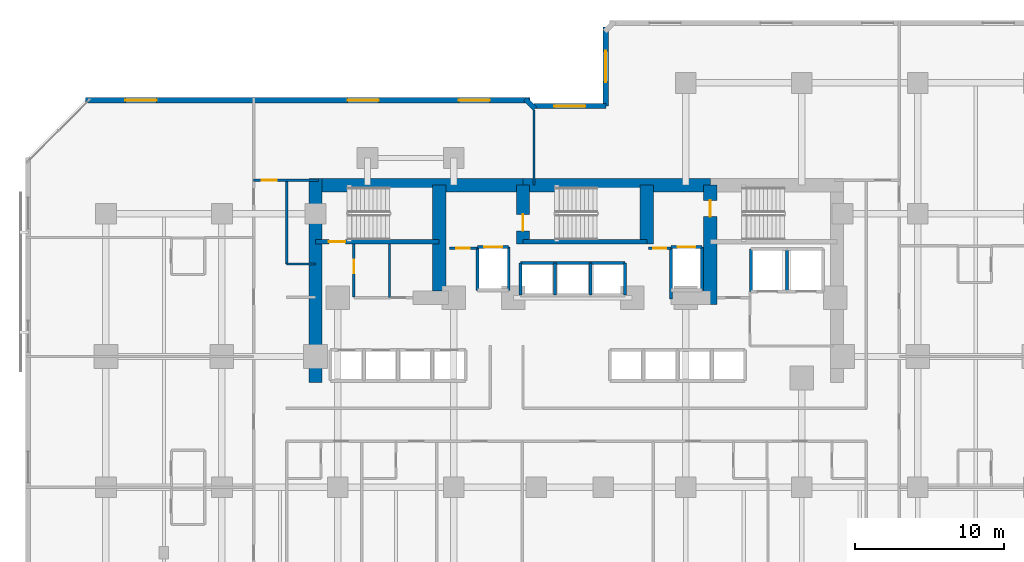
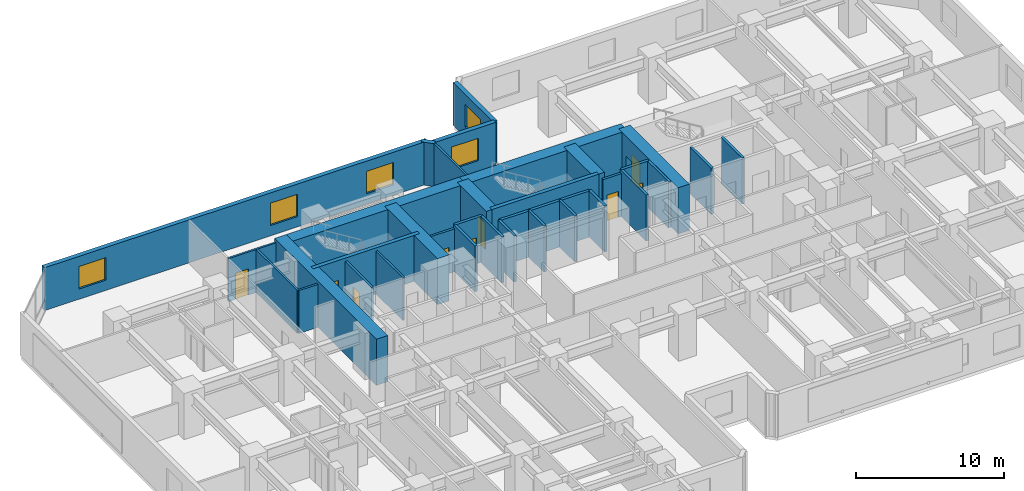
# One storey, part 8 of 12: 36 walls, 9 doors, 5 windows, 14 openings.
"""IFC4 building model written with IfcOpenShell, lengths in metres."""

from ifc_helpers import new_model, si_unit, direction, frame, frame_2d, origin, place, context, subcontext, project, spatial, rectangle, extrude, material, layer, layer_set, type_object, element, fill, save


model = new_model("IFC4")

# Units and contexts
model_context = context("Model", 3, precision=1e-05, world=origin(), true_north=direction((0.0, 1.0)))
body_context = subcontext(model_context, "Body", "Model", "MODEL_VIEW")
ifc_project = project(units=[si_unit("LENGTHUNIT", "METRE"), si_unit("AREAUNIT", "SQUARE_METRE"), si_unit("VOLUMEUNIT", "CUBIC_METRE"), si_unit("PLANEANGLEUNIT", "RADIAN"), si_unit("MASSUNIT", "GRAM", prefix="KILO")], contexts=[model_context])

# Site, building, storey
site_placement = place(None, origin())
site = spatial("IfcSite", under=ifc_project, at=site_placement, CompositionType="ELEMENT")
building_placement = place(site_placement, origin())
building = spatial("IfcBuilding", under=site, at=building_placement, Name="Kestravale Grand Hotel", CompositionType="ELEMENT")
storey_placement = place(building_placement, frame((0.0, 0.0, 48.800048828125)))
storey = spatial("IfcBuildingStorey", under=building, at=storey_placement, Name="L11", CompositionType="ELEMENT", Elevation=48.800048828125)

# Walls
ifc_material_1 = material(Name="Concrete f'c 70 MPa", Category="concrete")
ifc_layer_1 = layer(ifc_material_1, 0.89990234375)
ifc_layer_set_1 = layer_set([ifc_layer_1], Name="EW-CORE-900")
wall_type_1 = type_object("IfcWallType", Name="EW-CORE-900", PredefinedType="SHEAR", material=ifc_layer_set_1)
wall_1_placement = place(storey_placement, frame((21.449951171875, 40.320068359375, 0.0), z_axis=(0.0, 0.0, 1.0), x_axis=(1.0, 0.0, 0.0)))
element("IfcWall", 1, at=wall_1_placement, inside=storey, type_object=wall_type_1, Name="L11 core shear wall N1", PredefinedType="SHEAR", context=body_context, shape_type="SweptSolid", body=[
    extrude(rectangle(XDim=14.400146484375, YDim=0.89990234375, at=frame_2d((7.2001953125, 0.0))), origin(), (0.0, 0.0, 1.0), 3.800048828125),
])
wall_2_placement = place(storey_placement, frame((35.85009765625, 40.320068359375, 0.0), z_axis=(0.0, 0.0, 1.0), x_axis=(1.0, 0.0, 0.0)))
element("IfcWall", 2, at=wall_2_placement, inside=storey, type_object=wall_type_1, Name="L11 core shear wall N2", PredefinedType="SHEAR", context=body_context, shape_type="SweptSolid", body=[
    extrude(rectangle(XDim=12.599853515625, YDim=0.89990234375, at=frame_2d((6.2998046875, 0.0))), origin(), (0.0, 0.0, 1.0), 3.800048828125),
])
wall_3_placement = place(storey_placement, frame((21.89990234375, 27.050048828125, 0.0), z_axis=(0.0, 0.0, 1.0), x_axis=(0.0, 1.0, 0.0)))
element("IfcWall", 3, at=wall_3_placement, inside=storey, type_object=wall_type_1, Name="L11 core shear wall W1", PredefinedType="SHEAR", context=body_context, shape_type="SweptSolid", body=[
    extrude(rectangle(XDim=13.719970703125, YDim=0.89990234375, at=frame_2d((6.85986328125, 0.0))), origin(), (0.0, 0.0, 1.0), 3.800048828125),
])
wall_4_placement = place(storey_placement, frame((30.219970703125, 33.199951171875, 0.0), z_axis=(0.0, 0.0, 1.0), x_axis=(0.0, 1.0, 0.0)))
element("IfcWall", 4, at=wall_4_placement, inside=storey, type_object=wall_type_1, Name="L11 core shear wall X1", PredefinedType="SHEAR", context=body_context, shape_type="SweptSolid", body=[
    extrude(rectangle(XDim=7.1201171875, YDim=0.89990234375, at=frame_2d((3.56005859375, 0.0))), origin(), (0.0, 0.0, 1.0), 3.800048828125),
])

# Wall, opening, door
wall_5_placement = place(storey_placement, frame((35.85009765625, 36.3701171875, 0.0), z_axis=(0.0, 0.0, 1.0), x_axis=(0.0, 1.0, 0.0)))
wall_5 = element("IfcWall", 5, at=wall_5_placement, inside=storey, type_object=wall_type_1, Name="L11 core shear wall X2", PredefinedType="SHEAR", context=body_context, shape_type="SweptSolid", body=[
    extrude(rectangle(XDim=3.949951171875, YDim=0.89990234375, at=frame_2d((1.97509765625, 0.0))), origin(), (0.0, 0.0, 1.0), 3.800048828125),
])
opening_1_placement = place(wall_5_placement, frame((0.8798828125, 0.0, 0.0)))
opening_1 = element("IfcOpeningElement", 6, at=opening_1_placement, cuts=wall_5, Name="Opening D-ST-1100", PredefinedType="OPENING", context=body_context, shape_type="SweptSolid", body=[
    extrude(rectangle(XDim=1.10009765625, YDim=2.14990234375, at=frame_2d((0.550048828125, 1.074951171875))), frame((0.0, 0.4599609375, 0.0), z_axis=(0.0, -1.0, 0.0), x_axis=(1.0, 0.0, 0.0)), (0.0, 0.0, 1.0), 0.919921875),
])
ifc_material_2 = material(Name="Galvanised 90-minute fire-rated steel stair door", Category="steel")
door_type_1 = type_object("IfcDoorType", Name="D-ST-1100", OperationType="NOTDEFINED", PredefinedType="DOOR", material=ifc_material_2)
door_1_placement = place(opening_1_placement, origin())
door_1 = element("IfcDoor", 7, at=door_1_placement, inside=storey, type_object=door_type_1, Name="L11 Stair ST-2 FSAE fire door", OperationType="SINGLE_SWING_RIGHT", OverallHeight=2.14990234375, OverallWidth=1.10009765625, PredefinedType="DOOR", context=body_context, shape_type="SweptSolid", body=[
    extrude(rectangle(XDim=1.10009765625, YDim=2.14990234375, at=frame_2d((0.550048828125, 1.074951171875))), frame((0.0, 0.02490234375, 0.0), z_axis=(0.0, -1.0, 0.0), x_axis=(1.0, 0.0, 0.0)), (0.0, 0.0, 1.0), 0.050048828125),
])
fill(opening_1, door_1)

# Wall
wall_6_placement = place(storey_placement, frame((44.179931640625, 36.3701171875, 0.0), z_axis=(0.0, 0.0, 1.0), x_axis=(0.0, 1.0, 0.0)))
element("IfcWall", 8, at=wall_6_placement, inside=storey, type_object=wall_type_1, Name="L11 core shear wall X3", PredefinedType="SHEAR", context=body_context, shape_type="SweptSolid", body=[
    extrude(rectangle(XDim=3.949951171875, YDim=0.89990234375, at=frame_2d((1.97509765625, 0.0))), origin(), (0.0, 0.0, 1.0), 3.800048828125),
])

# Wall, opening, door
wall_7_placement = place(storey_placement, frame((48.449951171875, 32.300048828125, 0.0), z_axis=(0.0, 0.0, 1.0), x_axis=(0.0, 1.0, 0.0)))
wall_7 = element("IfcWall", 9, at=wall_7_placement, inside=storey, type_object=wall_type_1, Name="L11 core shear wall X4", PredefinedType="SHEAR", context=body_context, shape_type="SweptSolid", body=[
    extrude(rectangle(XDim=8.02001953125, YDim=0.89990234375, at=frame_2d((4.010009765625, 0.0))), origin(), (0.0, 0.0, 1.0), 3.800048828125),
])
opening_2_placement = place(wall_7_placement, frame((5.89990234375, 0.0, 0.0)))
opening_2 = element("IfcOpeningElement", 10, at=opening_2_placement, cuts=wall_7, Name="Opening D-ST-1100", PredefinedType="OPENING", context=body_context, shape_type="SweptSolid", body=[
    extrude(rectangle(XDim=1.10009765625, YDim=2.14990234375, at=frame_2d((0.550048828125, 1.074951171875))), frame((0.0, 0.4599609375, 0.0), z_axis=(0.0, -1.0, 0.0), x_axis=(1.0, 0.0, 0.0)), (0.0, 0.0, 1.0), 0.919921875),
])
door_2_placement = place(opening_2_placement, origin())
door_2 = element("IfcDoor", 11, at=door_2_placement, inside=storey, type_object=door_type_1, Name="L11 Stair ST-3 FSAE fire door", OperationType="SINGLE_SWING_RIGHT", OverallHeight=2.14990234375, OverallWidth=1.10009765625, PredefinedType="DOOR", context=body_context, shape_type="SweptSolid", body=[
    extrude(rectangle(XDim=1.10009765625, YDim=2.14990234375, at=frame_2d((0.550048828125, 1.074951171875))), frame((0.0, 0.02490234375, 0.0), z_axis=(0.0, -1.0, 0.0), x_axis=(1.0, 0.0, 0.0)), (0.0, 0.0, 1.0), 0.050048828125),
])
fill(opening_2, door_2)

# Wall, opening, window
ifc_material_3 = material(Name="Precast concrete f'c 45 MPa", Category="concrete")
ifc_layer_2 = layer(ifc_material_3, 0.340087890625)
ifc_layer_set_2 = layer_set([ifc_layer_2], Name="EW-PREC-340")
wall_type_2 = type_object("IfcWallType", Name="EW-PREC-340", PredefinedType="SOLIDWALL", material=ifc_layer_set_2)
wall_8_placement = place(storey_placement, frame((41.419921875, 50.969970703125, 0.0), z_axis=(0.0, 0.0, 1.0), x_axis=(0.0, -1.0, 0.0)))
wall_8 = element("IfcWall", 12, at=wall_8_placement, inside=storey, type_object=wall_type_2, Name="L11 fluted precast facade wall 13", PredefinedType="SOLIDWALL", context=body_context, shape_type="SweptSolid", body=[
    extrude(rectangle(XDim=5.340087890625, YDim=0.340087890625, at=frame_2d((2.669921875, 0.0))), origin(), (0.0, 0.0, 1.0), 3.5400390625),
])
opening_3_placement = place(wall_8_placement, frame((1.6201171875, 0.0, 0.85009765625)))
opening_3 = element("IfcOpeningElement", 13, at=opening_3_placement, cuts=wall_8, Name="Opening W-GUEST-2100", PredefinedType="OPENING", context=body_context, shape_type="SweptSolid", body=[
    extrude(rectangle(XDim=2.10009765625, YDim=1.85009765625, at=frame_2d((1.050048828125, 0.925048828125))), frame((0.0, 0.179931640625, 0.0), z_axis=(0.0, -1.0, 0.0), x_axis=(1.0, 0.0, 0.0)), (0.0, 0.0, 1.0), 0.360107421875),
])
ifc_material_4 = material(Name="Insulated low-E double glazing in aluminium frame", Category="aluminium")
window_type = type_object("IfcWindowType", Name="W-GUEST-2100", PartitioningType="DOUBLE_PANEL_VERTICAL", PredefinedType="WINDOW", material=ifc_material_4)
window_1_placement = place(opening_3_placement, origin())
window_1 = element("IfcWindow", 14, at=window_1_placement, inside=storey, type_object=window_type, Name="L11 exterior window 13.1", OverallHeight=1.85009765625, OverallWidth=2.10009765625, PartitioningType="SINGLE_PANEL", PredefinedType="WINDOW", context=body_context, shape_type="SweptSolid", body=[
    extrude(rectangle(XDim=2.10009765625, YDim=1.85009765625, at=frame_2d((1.050048828125, 0.925048828125))), frame((0.0, 0.030029296875, 0.0), z_axis=(0.0, -1.0, 0.0), x_axis=(1.0, 0.0, 0.0)), (0.0, 0.0, 1.0), 0.06005859375),
])
fill(opening_3, window_1)

wall_9_placement = place(storey_placement, frame((41.419921875, 45.6298828125, 0.0), z_axis=(0.0, 0.0, 1.0), x_axis=(-1.0, 0.0, 0.0)))
wall_9 = element("IfcWall", 15, at=wall_9_placement, inside=storey, type_object=wall_type_2, Name="L11 fluted precast facade wall 14", PredefinedType="SOLIDWALL", context=body_context, shape_type="SweptSolid", body=[
    extrude(rectangle(XDim=4.83984375, YDim=0.340087890625, at=frame_2d((2.419921875, 0.0))), origin(), (0.0, 0.0, 1.0), 3.5400390625),
])
opening_4_placement = place(wall_9_placement, frame((1.3701171875, 0.0, 0.85009765625)))
opening_4 = element("IfcOpeningElement", 16, at=opening_4_placement, cuts=wall_9, Name="Opening W-GUEST-2100", PredefinedType="OPENING", context=body_context, shape_type="SweptSolid", body=[
    extrude(rectangle(XDim=2.10009765625, YDim=1.85009765625, at=frame_2d((1.050048828125, 0.925048828125))), frame((0.0, 0.179931640625, 0.0), z_axis=(0.0, -1.0, 0.0), x_axis=(1.0, 0.0, 0.0)), (0.0, 0.0, 1.0), 0.360107421875),
])
window_2_placement = place(opening_4_placement, origin())
window_2 = element("IfcWindow", 17, at=window_2_placement, inside=storey, type_object=window_type, Name="L11 exterior window 14.1", OverallHeight=1.85009765625, OverallWidth=2.10009765625, PartitioningType="SINGLE_PANEL", PredefinedType="WINDOW", context=body_context, shape_type="SweptSolid", body=[
    extrude(rectangle(XDim=2.10009765625, YDim=1.85009765625, at=frame_2d((1.050048828125, 0.925048828125))), frame((0.0, 0.030029296875, 0.0), z_axis=(0.0, -1.0, 0.0), x_axis=(1.0, 0.0, 0.0)), (0.0, 0.0, 1.0), 0.06005859375),
])
fill(opening_4, window_2)

# Wall
wall_10_placement = place(storey_placement, frame((36.658203125, 45.451416015625, 0.0), z_axis=(0.0, 0.0, 1.0), x_axis=(-0.707106781187, 0.707106781187, 0.0)))
element("IfcWall", 18, at=wall_10_placement, inside=storey, type_object=wall_type_2, Name="L11 fluted precast facade wall 16", PredefinedType="SOLIDWALL", context=body_context, shape_type="SweptSolid", body=[
    extrude(rectangle(XDim=0.9287109375, YDim=0.340087890625, at=frame_2d((0.46435546875, 0.0))), origin(), (0.0, 0.0, 1.0), 3.5400390625),
])

# Wall, openings, windows
wall_11_placement = place(storey_placement, frame((36.320068359375, 46.030029296875, 0.0), z_axis=(0.0, 0.0, 1.0), x_axis=(-1.0, 0.0, 0.0)))
wall_11 = element("IfcWall", 19, at=wall_11_placement, inside=storey, type_object=wall_type_2, Name="L11 fluted precast facade wall 17", PredefinedType="SOLIDWALL", context=body_context, shape_type="SweptSolid", body=[
    extrude(rectangle(XDim=29.89013671875, YDim=0.340087890625, at=frame_2d((14.945068359375, 0.0))), origin(), (0.0, 0.0, 1.0), 3.5400390625),
])
opening_5_placement = place(wall_11_placement, frame((2.686279296875, 0.0, 0.85009765625)))
opening_5 = element("IfcOpeningElement", 20, at=opening_5_placement, cuts=wall_11, Name="Opening W-GUEST-2100", PredefinedType="OPENING", context=body_context, shape_type="SweptSolid", body=[
    extrude(rectangle(XDim=2.10009765625, YDim=1.85009765625, at=frame_2d((1.050048828125, 0.925048828125))), frame((0.0, 0.179931640625, 0.0), z_axis=(0.0, -1.0, 0.0), x_axis=(1.0, 0.0, 0.0)), (0.0, 0.0, 1.0), 0.360107421875),
])
opening_6_placement = place(wall_11_placement, frame((10.15869140625, 0.0, 0.85009765625)))
opening_6 = element("IfcOpeningElement", 21, at=opening_6_placement, cuts=wall_11, Name="Opening W-GUEST-2100", PredefinedType="OPENING", context=body_context, shape_type="SweptSolid", body=[
    extrude(rectangle(XDim=2.10009765625, YDim=1.85009765625, at=frame_2d((1.050048828125, 0.925048828125))), frame((0.0, 0.179931640625, 0.0), z_axis=(0.0, -1.0, 0.0), x_axis=(1.0, 0.0, 0.0)), (0.0, 0.0, 1.0), 0.360107421875),
])
opening_7_placement = place(wall_11_placement, frame((25.103759765625, 0.0, 0.85009765625)))
opening_7 = element("IfcOpeningElement", 22, at=opening_7_placement, cuts=wall_11, Name="Opening W-GUEST-2100", PredefinedType="OPENING", context=body_context, shape_type="SweptSolid", body=[
    extrude(rectangle(XDim=2.10009765625, YDim=1.85009765625, at=frame_2d((1.050048828125, 0.925048828125))), frame((0.0, 0.179931640625, 0.0), z_axis=(0.0, -1.0, 0.0), x_axis=(1.0, 0.0, 0.0)), (0.0, 0.0, 1.0), 0.360107421875),
])
window_3_placement = place(opening_5_placement, origin())
window_3 = element("IfcWindow", 23, at=window_3_placement, inside=storey, type_object=window_type, Name="L11 exterior window 17.1", OverallHeight=1.85009765625, OverallWidth=2.10009765625, PartitioningType="SINGLE_PANEL", PredefinedType="WINDOW", context=body_context, shape_type="SweptSolid", body=[
    extrude(rectangle(XDim=2.10009765625, YDim=1.85009765625, at=frame_2d((1.050048828125, 0.925048828125))), frame((0.0, 0.030029296875, 0.0), z_axis=(0.0, -1.0, 0.0), x_axis=(1.0, 0.0, 0.0)), (0.0, 0.0, 1.0), 0.06005859375),
])
fill(opening_5, window_3)
window_4_placement = place(opening_6_placement, origin())
window_4 = element("IfcWindow", 24, at=window_4_placement, inside=storey, type_object=window_type, Name="L11 exterior window 17.2", OverallHeight=1.85009765625, OverallWidth=2.10009765625, PartitioningType="SINGLE_PANEL", PredefinedType="WINDOW", context=body_context, shape_type="SweptSolid", body=[
    extrude(rectangle(XDim=2.10009765625, YDim=1.85009765625, at=frame_2d((1.050048828125, 0.925048828125))), frame((0.0, 0.030029296875, 0.0), z_axis=(0.0, -1.0, 0.0), x_axis=(1.0, 0.0, 0.0)), (0.0, 0.0, 1.0), 0.06005859375),
])
fill(opening_6, window_4)
window_5_placement = place(opening_7_placement, origin())
window_5 = element("IfcWindow", 25, at=window_5_placement, inside=storey, type_object=window_type, Name="L11 exterior window 17.3", OverallHeight=1.85009765625, OverallWidth=2.10009765625, PartitioningType="SINGLE_PANEL", PredefinedType="WINDOW", context=body_context, shape_type="SweptSolid", body=[
    extrude(rectangle(XDim=2.10009765625, YDim=1.85009765625, at=frame_2d((1.050048828125, 0.925048828125))), frame((0.0, 0.030029296875, 0.0), z_axis=(0.0, -1.0, 0.0), x_axis=(1.0, 0.0, 0.0)), (0.0, 0.0, 1.0), 0.06005859375),
])
fill(opening_7, window_5)

# Wall, opening, door
ifc_material_5 = material(Name="Concrete f'c 45 MPa", Category="concrete")
ifc_layer_3 = layer(ifc_material_5, 0.300048828125)
ifc_layer_set_3 = layer_set([ifc_layer_3], Name="EW-STAIR-300")
wall_type_3 = type_object("IfcWallType", Name="EW-STAIR-300", PredefinedType="SHEAR", material=ifc_layer_set_3)
wall_12_placement = place(storey_placement, frame((21.89990234375, 36.52001953125, 0.0), z_axis=(0.0, 0.0, 1.0), x_axis=(1.0, 0.0, 0.0)))
wall_12 = element("IfcWall", 26, at=wall_12_placement, inside=storey, type_object=wall_type_3, Name="L11 stair enclosure shear wall SST1", PredefinedType="SHEAR", context=body_context, shape_type="SweptSolid", body=[
    extrude(rectangle(XDim=8.320068359375, YDim=0.300048828125, at=frame_2d((4.16015625, 0.0))), origin(), (0.0, 0.0, 1.0), 3.800048828125),
])
opening_8_placement = place(wall_12_placement, frame((0.89990234375, 0.0, 0.0)))
opening_8 = element("IfcOpeningElement", 27, at=opening_8_placement, cuts=wall_12, Name="Opening D-ST-1100", PredefinedType="OPENING", context=body_context, shape_type="SweptSolid", body=[
    extrude(rectangle(XDim=1.10009765625, YDim=2.14990234375, at=frame_2d((0.550048828125, 1.074951171875))), frame((0.0, 0.159912109375, 0.0), z_axis=(0.0, -1.0, 0.0), x_axis=(1.0, 0.0, 0.0)), (0.0, 0.0, 1.0), 0.320068359375),
])
door_3_placement = place(opening_8_placement, origin())
door_3 = element("IfcDoor", 28, at=door_3_placement, inside=storey, type_object=door_type_1, Name="L11 Stair ST-1 fire door", OperationType="SINGLE_SWING_RIGHT", OverallHeight=2.14990234375, OverallWidth=1.10009765625, PredefinedType="DOOR", context=body_context, shape_type="SweptSolid", body=[
    extrude(rectangle(XDim=1.10009765625, YDim=2.14990234375, at=frame_2d((0.550048828125, 1.074951171875))), frame((0.0, 0.02490234375, 0.0), z_axis=(0.0, -1.0, 0.0), x_axis=(1.0, 0.0, 0.0)), (0.0, 0.0, 1.0), 0.050048828125),
])
fill(opening_8, door_3)

# Wall
wall_13_placement = place(storey_placement, frame((35.85009765625, 36.52001953125, 0.0), z_axis=(0.0, 0.0, 1.0), x_axis=(1.0, 0.0, 0.0)))
element("IfcWall", 29, at=wall_13_placement, inside=storey, type_object=wall_type_3, Name="L11 stair enclosure shear wall SST2", PredefinedType="SHEAR", context=body_context, shape_type="SweptSolid", body=[
    extrude(rectangle(XDim=8.329833984375, YDim=0.300048828125, at=frame_2d((4.1650390625, 0.0))), origin(), (0.0, 0.0, 1.0), 3.800048828125),
])

# Wall, opening, door
ifc_material_6 = material(Name="Acoustic fire-rated gypsum board partition", Category="other")
ifc_layer_4 = layer(ifc_material_6, 0.159912109375)
ifc_layer_set_4 = layer_set([ifc_layer_4], Name="IW-CORR-160")
wall_type_4 = type_object("IfcWallType", Name="IW-CORR-160", PredefinedType="PARTITIONING", material=ifc_layer_set_4)
wall_14_placement = place(storey_placement, frame((24.47998046875, 32.800048828125, 0.0), z_axis=(0.0, 0.0, 1.0), x_axis=(0.0, 1.0, 0.0)))
wall_14 = element("IfcWall", 30, at=wall_14_placement, inside=storey, type_object=wall_type_4, Name="L11 west core vestibule wall", PredefinedType="PARTITIONING", context=body_context, shape_type="SweptSolid", body=[
    extrude(rectangle(XDim=3.570068359375, YDim=0.159912109375, at=frame_2d((1.78515625, 0.0))), origin(), (0.0, 0.0, 1.0), 3.5400390625),
])
opening_9_placement = place(wall_14_placement, frame((1.603515625, 0.0, 0.0)))
opening_9 = element("IfcOpeningElement", 31, at=opening_9_placement, cuts=wall_14, Name="Opening D-SH-900", PredefinedType="OPENING", context=body_context, shape_type="SweptSolid", body=[
    extrude(rectangle(XDim=0.89990234375, YDim=2.10009765625, at=frame_2d((0.449951171875, 1.050048828125))), frame((0.0, 0.08984375, 0.0), z_axis=(0.0, -1.0, 0.0), x_axis=(1.0, 0.0, 0.0)), (0.0, 0.0, 1.0), 0.179931640625),
])
ifc_material_7 = material(Name="Galvanised 90-minute shaft and service fire door", Category="steel")
door_type_2 = type_object("IfcDoorType", Name="D-SH-900", OperationType="NOTDEFINED", PredefinedType="DOOR", material=ifc_material_7)
door_4_placement = place(opening_9_placement, origin())
door_4 = element("IfcDoor", 32, at=door_4_placement, inside=storey, type_object=door_type_2, Name="D-L11-HK", OperationType="SINGLE_SWING_RIGHT", OverallHeight=2.10009765625, OverallWidth=0.89990234375, PredefinedType="DOOR", context=body_context, shape_type="SweptSolid", body=[
    extrude(rectangle(XDim=0.89990234375, YDim=2.10009765625, at=frame_2d((0.449951171875, 1.050048828125))), frame((0.0, 0.02490234375, 0.0), z_axis=(0.0, -1.0, 0.0), x_axis=(1.0, 0.0, 0.0)), (0.0, 0.0, 1.0), 0.050048828125),
])
fill(opening_9, door_4)

# Walls
wall_15_placement = place(storey_placement, frame((19.9599609375, 35.02001953125, 0.0), z_axis=(0.0, 0.0, 1.0), x_axis=(0.0, 1.0, 0.0)))
element("IfcWall", 33, at=wall_15_placement, inside=storey, type_object=wall_type_4, Name="W-L11-SW-EN", PredefinedType="PARTITIONING", context=body_context, shape_type="SweptSolid", body=[
    extrude(rectangle(XDim=5.6298828125, YDim=0.159912109375, at=frame_2d((2.81494140625, 0.0))), origin(), (0.0, 0.0, 1.0), 3.5400390625),
])
wall_16_placement = place(storey_placement, frame((19.9599609375, 35.02001953125, 0.0), z_axis=(0.0, 0.0, 1.0), x_axis=(1.0, 0.0, 0.0)))
element("IfcWall", 34, at=wall_16_placement, inside=storey, type_object=wall_type_4, Name="W-L11-SW-CN", PredefinedType="PARTITIONING", context=body_context, shape_type="SweptSolid", body=[
    extrude(rectangle(XDim=1.93994140625, YDim=0.159912109375, at=frame_2d((0.969970703125, 0.0))), origin(), (0.0, 0.0, 1.0), 3.5400390625),
])

# Wall, opening, door
ifc_material_8 = material(Name="Fire-rated gypsum board on steel studs with mineral wool", Category="steel")
ifc_layer_5 = layer(ifc_material_8, 0.179931640625)
ifc_layer_set_5 = layer_set([ifc_layer_5], Name="IW-FSAE-180")
wall_type_5 = type_object("IfcWallType", Name="IW-FSAE-180", PredefinedType="PARTITIONING", material=ifc_layer_set_5)
wall_17_placement = place(storey_placement, frame((30.89990234375, 36.080078125, 0.0), z_axis=(0.0, 0.0, 1.0), x_axis=(1.0, 0.0, 0.0)))
wall_17 = element("IfcWall", 35, at=wall_17_placement, inside=storey, type_object=wall_type_5, Name="L11 FSAE Lobby 1 smoke barrier", PredefinedType="PARTITIONING", context=body_context, shape_type="SweptSolid", body=[
    extrude(rectangle(XDim=1.85009765625, YDim=0.179931640625, at=frame_2d((0.925048828125, 0.0))), origin(), (0.0, 0.0, 1.0), 3.5400390625),
])
opening_10_placement = place(wall_17_placement, frame((0.47998046875, 0.0, 0.0)))
opening_10 = element("IfcOpeningElement", 36, at=opening_10_placement, cuts=wall_17, Name="Opening D-FSAE-1000", PredefinedType="OPENING", context=body_context, shape_type="SweptSolid", body=[
    extrude(rectangle(XDim=0.89990234375, YDim=2.14990234375, at=frame_2d((0.449951171875, 1.074951171875))), frame((0.0, 0.099853515625, 0.0), z_axis=(0.0, -1.0, 0.0), x_axis=(1.0, 0.0, 0.0)), (0.0, 0.0, 1.0), 0.199951171875),
])
ifc_material_9 = material(Name="Smoke-gasketed FSAE lobby fire door", Category="steel")
door_type_3 = type_object("IfcDoorType", Name="D-FSAE-1000", OperationType="NOTDEFINED", PredefinedType="DOOR", material=ifc_material_9)
door_5_placement = place(opening_10_placement, origin())
door_5 = element("IfcDoor", 37, at=door_5_placement, inside=storey, type_object=door_type_3, Name="L11 FSAE Lobby 1 fire door", OperationType="SINGLE_SWING_RIGHT", OverallHeight=2.14990234375, OverallWidth=0.89990234375, PredefinedType="DOOR", context=body_context, shape_type="SweptSolid", body=[
    extrude(rectangle(XDim=0.89990234375, YDim=2.14990234375, at=frame_2d((0.449951171875, 1.074951171875))), frame((0.0, 0.02490234375, 0.0), z_axis=(0.0, -1.0, 0.0), x_axis=(1.0, 0.0, 0.0)), (0.0, 0.0, 1.0), 0.050048828125),
])
fill(opening_10, door_5)

wall_18_placement = place(storey_placement, frame((44.300048828125, 36.080078125, 0.0), z_axis=(0.0, 0.0, 1.0), x_axis=(1.0, 0.0, 0.0)))
wall_18 = element("IfcWall", 38, at=wall_18_placement, inside=storey, type_object=wall_type_5, Name="L11 FSAE Lobby 2 smoke barrier", PredefinedType="PARTITIONING", context=body_context, shape_type="SweptSolid", body=[
    extrude(rectangle(XDim=1.5, YDim=0.179931640625, at=frame_2d((0.75, 0.0))), origin(), (0.0, 0.0, 1.0), 3.5400390625),
])
opening_11_placement = place(wall_18_placement, frame((0.300048828125, 0.0, 0.0)))
opening_11 = element("IfcOpeningElement", 39, at=opening_11_placement, cuts=wall_18, Name="Opening D-FSAE-1000", PredefinedType="OPENING", context=body_context, shape_type="SweptSolid", body=[
    extrude(rectangle(XDim=0.89990234375, YDim=2.14990234375, at=frame_2d((0.449951171875, 1.074951171875))), frame((0.0, 0.099853515625, 0.0), z_axis=(0.0, -1.0, 0.0), x_axis=(1.0, 0.0, 0.0)), (0.0, 0.0, 1.0), 0.199951171875),
])
door_6_placement = place(opening_11_placement, origin())
door_6 = element("IfcDoor", 40, at=door_6_placement, inside=storey, type_object=door_type_3, Name="L11 FSAE Lobby 2 fire door", OperationType="SINGLE_SWING_LEFT", OverallHeight=2.14990234375, OverallWidth=0.89990234375, PredefinedType="DOOR", context=body_context, shape_type="SweptSolid", body=[
    extrude(rectangle(XDim=0.89990234375, YDim=2.14990234375, at=frame_2d((0.449951171875, 1.074951171875))), frame((0.0, 0.02490234375, 0.0), z_axis=(0.0, -1.0, 0.0), x_axis=(1.0, 0.0, 0.0)), (0.0, 0.0, 1.0), 0.050048828125),
])
fill(opening_11, door_6)

# Walls
ifc_material_10 = material(Name="Concrete f'c 45 MPa", Category="concrete")
ifc_layer_6 = layer(ifc_material_10, 0.199951171875)
ifc_layer_set_6 = layer_set([ifc_layer_6], Name="IW-SHAFT-200")
wall_type_6 = type_object("IfcWallType", Name="IW-SHAFT-200", PredefinedType="SHEAR", material=ifc_layer_set_6)
for number, where, z_axis, x_axis, name in (
    (41, (35.679931640625, 32.919921875, 0.0), (0.0, 0.0, 1.0), (0.0, 1.0, 0.0), "L11 PL-X1 west shaft wall"),
    (42, (38.0, 32.919921875, 0.0), (0.0, 0.0, 1.0), (0.0, 1.0, 0.0), "L11 PL-X2 west shaft wall"),
    (43, (40.39990234375, 32.919921875, 0.0), (0.0, 0.0, 1.0), (0.0, 1.0, 0.0), "L11 PL-X3 west shaft wall"),
    (44, (42.719970703125, 32.919921875, 0.0), (0.0, 0.0, 1.0), (0.0, 1.0, 0.0), "L11 PL-X3 east shaft wall"),
):
    element("IfcWall", number, at=place(storey_placement, frame(where, z_axis=z_axis, x_axis=x_axis)), inside=storey, type_object=wall_type_6, Name=name, PredefinedType="SHEAR", context=body_context, shape_type="SweptSolid", body=[
        extrude(rectangle(XDim=2.16015625, YDim=0.199951171875, at=frame_2d((1.080078125, 0.0))), origin(), (0.0, 0.0, 1.0), 3.800048828125),
    ])
for number, where, z_axis, x_axis, name in (
    (45, (51.179931640625, 33.169921875, 0.0), (0.0, 0.0, 1.0), (0.0, 1.0, 0.0), "L11 SL-1 west shaft wall"),
    (46, (53.60009765625, 33.169921875, 0.0), (0.0, 0.0, 1.0), (0.0, 1.0, 0.0), "L11 SL-2 west shaft wall"),
):
    element("IfcWall", number, at=place(storey_placement, frame(where, z_axis=z_axis, x_axis=x_axis)), inside=storey, type_object=wall_type_6, Name=name, PredefinedType="SHEAR", context=body_context, shape_type="SweptSolid", body=[
        extrude(rectangle(XDim=2.860107421875, YDim=0.199951171875, at=frame_2d((1.43017578125, 0.0))), origin(), (0.0, 0.0, 1.0), 3.800048828125),
    ])
for number, where, z_axis, x_axis, name in (
    (47, (32.804931640625, 33.2451171875, 0.0), (0.0, 0.0, 1.0), (0.0, 1.0, 0.0), "L11 FL-1 west shaft wall"),
    (48, (34.89501953125, 33.2451171875, 0.0), (0.0, 0.0, 1.0), (0.0, 1.0, 0.0), "L11 FL-1 east shaft wall"),
):
    element("IfcWall", number, at=place(storey_placement, frame(where, z_axis=z_axis, x_axis=x_axis)), inside=storey, type_object=wall_type_6, Name=name, PredefinedType="SHEAR", context=body_context, shape_type="SweptSolid", body=[
        extrude(rectangle(XDim=2.909912109375, YDim=0.199951171875, at=frame_2d((1.455078125, 0.0))), origin(), (0.0, 0.0, 1.0), 3.800048828125),
    ])
wall_19_placement = place(storey_placement, frame((45.804931640625, 32.64990234375, 0.0), z_axis=(0.0, 0.0, 1.0), x_axis=(0.0, 1.0, 0.0)))
element("IfcWall", 49, at=wall_19_placement, inside=storey, type_object=wall_type_6, Name="L11 FL-2 west shaft wall", PredefinedType="SHEAR", context=body_context, shape_type="SweptSolid", body=[
    extrude(rectangle(XDim=3.505126953125, YDim=0.199951171875, at=frame_2d((1.75244140625, 0.0))), origin(), (0.0, 0.0, 1.0), 3.800048828125),
])
wall_20_placement = place(storey_placement, frame((47.89501953125, 33.2451171875, 0.0), z_axis=(0.0, 0.0, 1.0), x_axis=(0.0, 1.0, 0.0)))
element("IfcWall", 50, at=wall_20_placement, inside=storey, type_object=wall_type_6, Name="L11 FL-2 east shaft wall", PredefinedType="SHEAR", context=body_context, shape_type="SweptSolid", body=[
    extrude(rectangle(XDim=2.909912109375, YDim=0.199951171875, at=frame_2d((1.455078125, 0.0))), origin(), (0.0, 0.0, 1.0), 3.800048828125),
])
ifc_material_11 = material(Name="Concrete f'c 45 MPa", Category="concrete")
ifc_layer_7 = layer(ifc_material_11, 0.219970703125)
ifc_layer_set_7 = layer_set([ifc_layer_7], Name="IW-SHAFT-220")
wall_type_7 = type_object("IfcWallType", Name="IW-SHAFT-220", PredefinedType="SHEAR", material=ifc_layer_set_7)
wall_21_placement = place(storey_placement, frame((35.679931640625, 35.080078125, 0.0), z_axis=(0.0, 0.0, 1.0), x_axis=(1.0, 0.0, 0.0)))
element("IfcWall", 51, at=wall_21_placement, inside=storey, type_object=wall_type_7, Name="L11 PL-X1 north shaft wall", PredefinedType="SHEAR", context=body_context, shape_type="SweptSolid", body=[
    extrude(rectangle(XDim=2.320068359375, YDim=0.219970703125, at=frame_2d((1.16015625, 0.0))), origin(), (0.0, 0.0, 1.0), 3.800048828125),
])
wall_22_placement = place(storey_placement, frame((38.0, 35.080078125, 0.0), z_axis=(0.0, 0.0, 1.0), x_axis=(1.0, 0.0, 0.0)))
element("IfcWall", 52, at=wall_22_placement, inside=storey, type_object=wall_type_7, Name="L11 PL-X2 north shaft wall", PredefinedType="SHEAR", context=body_context, shape_type="SweptSolid", body=[
    extrude(rectangle(XDim=2.39990234375, YDim=0.219970703125, at=frame_2d((1.199951171875, 0.0))), origin(), (0.0, 0.0, 1.0), 3.800048828125),
])
wall_23_placement = place(storey_placement, frame((40.39990234375, 35.080078125, 0.0), z_axis=(0.0, 0.0, 1.0), x_axis=(1.0, 0.0, 0.0)))
element("IfcWall", 53, at=wall_23_placement, inside=storey, type_object=wall_type_7, Name="L11 PL-X3 north shaft wall", PredefinedType="SHEAR", context=body_context, shape_type="SweptSolid", body=[
    extrude(rectangle(XDim=2.320068359375, YDim=0.219970703125, at=frame_2d((1.16015625, 0.0))), origin(), (0.0, 0.0, 1.0), 3.800048828125),
])

# Wall, opening, door
wall_24_placement = place(storey_placement, frame((32.804931640625, 36.155029296875, 0.0), z_axis=(0.0, 0.0, 1.0), x_axis=(1.0, 0.0, 0.0)))
wall_24 = element("IfcWall", 54, at=wall_24_placement, inside=storey, type_object=wall_type_7, Name="L11 FL-1 north shaft wall", PredefinedType="SHEAR", context=body_context, shape_type="SweptSolid", body=[
    extrude(rectangle(XDim=2.090087890625, YDim=0.219970703125, at=frame_2d((1.044921875, 0.0))), origin(), (0.0, 0.0, 1.0), 3.800048828125),
])
opening_12_placement = place(wall_24_placement, frame((0.445068359375, 0.0, 0.0)))
opening_12 = element("IfcOpeningElement", 55, at=opening_12_placement, cuts=wall_24, Name="Opening LD-FSAE-1200", PredefinedType="OPENING", context=body_context, shape_type="SweptSolid", body=[
    extrude(rectangle(XDim=1.199951171875, YDim=2.14990234375, at=frame_2d((0.60009765625, 1.074951171875))), frame((0.0, 0.119873046875, 0.0), z_axis=(0.0, -1.0, 0.0), x_axis=(1.0, 0.0, 0.0)), (0.0, 0.0, 1.0), 0.239990234375),
])
ifc_material_12 = material(Name="Stainless fire-service sliding elevator landing door", Category="steel")
door_type_4 = type_object("IfcDoorType", Name="LD-FSAE-1200", OperationType="NOTDEFINED", PredefinedType="DOOR", material=ifc_material_12)
door_7_placement = place(opening_12_placement, origin())
door_7 = element("IfcDoor", 56, at=door_7_placement, inside=storey, type_object=door_type_4, Name="L11 FL-1 elevator landing sliding door", OperationType="DOUBLE_DOOR_SLIDING", OverallHeight=2.14990234375, OverallWidth=1.199951171875, PredefinedType="DOOR", context=body_context, shape_type="SweptSolid", body=[
    extrude(rectangle(XDim=1.199951171875, YDim=2.14990234375, at=frame_2d((0.60009765625, 1.074951171875))), frame((0.0, 0.02490234375, 0.0), z_axis=(0.0, -1.0, 0.0), x_axis=(1.0, 0.0, 0.0)), (0.0, 0.0, 1.0), 0.050048828125),
])
fill(opening_12, door_7)

wall_25_placement = place(storey_placement, frame((45.804931640625, 36.155029296875, 0.0), z_axis=(0.0, 0.0, 1.0), x_axis=(1.0, 0.0, 0.0)))
wall_25 = element("IfcWall", 57, at=wall_25_placement, inside=storey, type_object=wall_type_7, Name="L11 FL-2 north shaft wall", PredefinedType="SHEAR", context=body_context, shape_type="SweptSolid", body=[
    extrude(rectangle(XDim=2.090087890625, YDim=0.219970703125, at=frame_2d((1.044921875, 0.0))), origin(), (0.0, 0.0, 1.0), 3.800048828125),
])
opening_13_placement = place(wall_25_placement, frame((0.445068359375, 0.0, 0.0)))
opening_13 = element("IfcOpeningElement", 58, at=opening_13_placement, cuts=wall_25, Name="Opening LD-FSAE-1200", PredefinedType="OPENING", context=body_context, shape_type="SweptSolid", body=[
    extrude(rectangle(XDim=1.199951171875, YDim=2.14990234375, at=frame_2d((0.60009765625, 1.074951171875))), frame((0.0, 0.119873046875, 0.0), z_axis=(0.0, -1.0, 0.0), x_axis=(1.0, 0.0, 0.0)), (0.0, 0.0, 1.0), 0.239990234375),
])
door_8_placement = place(opening_13_placement, origin())
door_8 = element("IfcDoor", 59, at=door_8_placement, inside=storey, type_object=door_type_4, Name="L11 FL-2 elevator landing sliding door", OperationType="DOUBLE_DOOR_SLIDING", OverallHeight=2.14990234375, OverallWidth=1.199951171875, PredefinedType="DOOR", context=body_context, shape_type="SweptSolid", body=[
    extrude(rectangle(XDim=1.199951171875, YDim=2.14990234375, at=frame_2d((0.60009765625, 1.074951171875))), frame((0.0, 0.02490234375, 0.0), z_axis=(0.0, -1.0, 0.0), x_axis=(1.0, 0.0, 0.0)), (0.0, 0.0, 1.0), 0.050048828125),
])
fill(opening_13, door_8)

# Wall
ifc_material_13 = material(Name="Double-stud STC 52 acoustic demising partition", Category="other")
ifc_layer_8 = layer(ifc_material_13, 0.14990234375)
ifc_layer_set_8 = layer_set([ifc_layer_8], Name="IW-UNIT-150")
wall_type_8 = type_object("IfcWallType", Name="IW-UNIT-150", PredefinedType="PARTITIONING", material=ifc_layer_set_8)
wall_26_placement = place(storey_placement, frame((26.8798828125, 32.75, 0.0), z_axis=(0.0, 0.0, 1.0), x_axis=(0.0, 1.0, 0.0)))
element("IfcWall", 60, at=wall_26_placement, inside=storey, type_object=wall_type_8, Name="W-L11-CC3-V", PredefinedType="PARTITIONING", context=body_context, shape_type="SweptSolid", body=[
    extrude(rectangle(XDim=3.6201171875, YDim=0.14990234375, at=frame_2d((1.81005859375, 0.0))), origin(), (0.0, 0.0, 1.0), 3.5400390625),
])

# Wall, opening, door
wall_27_placement = place(storey_placement, frame((17.739990234375, 40.64990234375, 0.0), z_axis=(0.0, 0.0, 1.0), x_axis=(1.0, 0.0, 0.0)))
wall_27 = element("IfcWall", 61, at=wall_27_placement, inside=storey, type_object=wall_type_8, Name="W-L11-SW-N", PredefinedType="PARTITIONING", context=body_context, shape_type="SweptSolid", body=[
    extrude(rectangle(XDim=4.360107421875, YDim=0.14990234375, at=frame_2d((2.18017578125, 0.0))), origin(), (0.0, 0.0, 1.0), 3.5400390625),
])
opening_14_placement = place(wall_27_placement, frame((0.550048828125, 0.0, 0.0)))
opening_14 = element("IfcOpeningElement", 62, at=opening_14_placement, cuts=wall_27, Name="Opening D-GUEST-1000", PredefinedType="OPENING", context=body_context, shape_type="SweptSolid", body=[
    extrude(rectangle(XDim=1.0, YDim=2.14990234375, at=frame_2d((0.5, 1.074951171875))), frame((0.0, 0.0849609375, 0.0), z_axis=(0.0, -1.0, 0.0), x_axis=(1.0, 0.0, 0.0)), (0.0, 0.0, 1.0), 0.169921875),
])
ifc_material_14 = material(Name="Accessible walnut veneer hotel entrance fire door", Category="wood")
door_type_5 = type_object("IfcDoorType", Name="D-GUEST-1000", OperationType="NOTDEFINED", PredefinedType="DOOR", material=ifc_material_14)
door_9_placement = place(opening_14_placement, origin())
door_9 = element("IfcDoor", 63, at=door_9_placement, inside=storey, type_object=door_type_5, Name="L11 NW Gallery Door", OperationType="SINGLE_SWING_RIGHT", OverallHeight=2.14990234375, OverallWidth=1.0, PredefinedType="DOOR", context=body_context, shape_type="SweptSolid", body=[
    extrude(rectangle(XDim=1.0, YDim=2.14990234375, at=frame_2d((0.5, 1.074951171875))), frame((0.0, 0.02490234375, 0.0), z_axis=(0.0, -1.0, 0.0), x_axis=(1.0, 0.0, 0.0)), (0.0, 0.0, 1.0), 0.050048828125),
])
fill(opening_14, door_9)

# Wall
wall_28_placement = place(storey_placement, frame((36.60009765625, 40.320068359375, 0.0), z_axis=(0.0, 0.0, 1.0), x_axis=(0.0, 1.0, 0.0)))
element("IfcWall", 64, at=wall_28_placement, inside=storey, type_object=wall_type_8, Name="W-L11-NGM", PredefinedType="PARTITIONING", context=body_context, shape_type="SweptSolid", body=[
    extrude(rectangle(XDim=5.044921875, YDim=0.14990234375, at=frame_2d((2.5224609375, 0.0))), origin(), (0.0, 0.0, 1.0), 3.5400390625),
])

save(model, "model.ifc")
